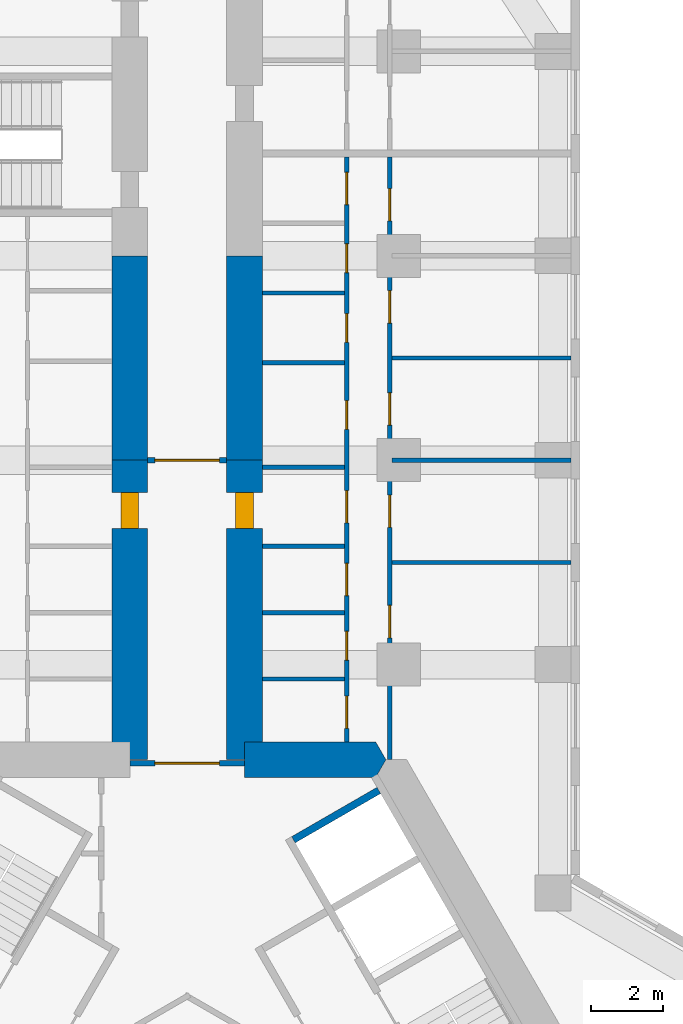
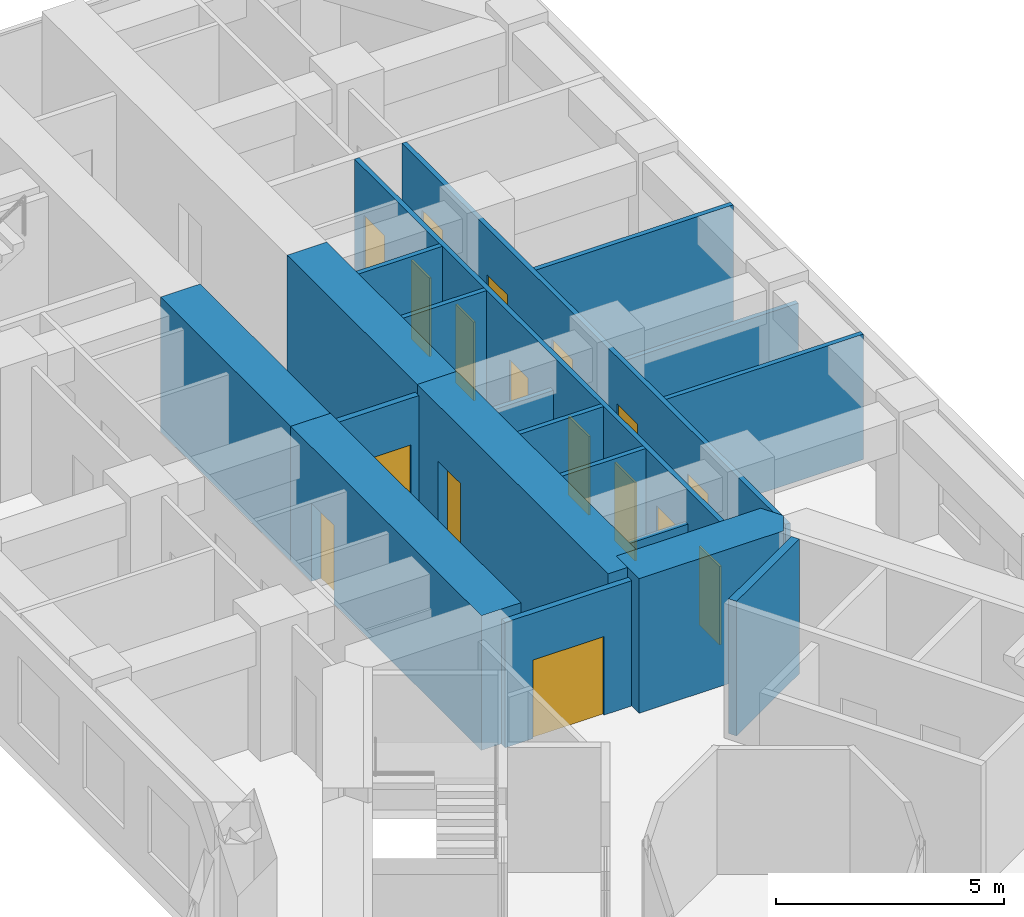
# One storey, part 18 of 21: 19 walls, 17 doors, 17 openings.
"""IFC4 building model written with IfcOpenShell, lengths in metres."""

from ifc_helpers import new_model, si_unit, direction, frame, frame_2d, origin, place, context, subcontext, project, spatial, polyline, rectangle, outline, extrude, material, layer, layer_set, type_object, element, fill, save


model = new_model("IFC4")

# Units and contexts
model_context = context("Model", 3, precision=1e-05, world=origin(), true_north=direction((0.0, 1.0)))
body_context = subcontext(model_context, "Body", "Model", "MODEL_VIEW")
ifc_project = project(units=[si_unit("LENGTHUNIT", "METRE"), si_unit("AREAUNIT", "SQUARE_METRE"), si_unit("VOLUMEUNIT", "CUBIC_METRE"), si_unit("PLANEANGLEUNIT", "RADIAN"), si_unit("MASSUNIT", "GRAM", prefix="KILO")], contexts=[model_context])

# Site, building, storey
site_placement = place(None, origin())
site = spatial("IfcSite", under=ifc_project, at=site_placement, CompositionType="ELEMENT")
building_placement = place(site_placement, origin())
building = spatial("IfcBuilding", under=site, at=building_placement, Name="Kosmar Iwan School Tower", CompositionType="ELEMENT")
storey_placement = place(building_placement, frame((0.0, 0.0, 53.800048828125)))
storey = spatial("IfcBuildingStorey", under=building, at=storey_placement, Name="L12", CompositionType="ELEMENT", Elevation=53.800048828125)

# Wall
ifc_material_1 = material(Name="Concrete C50/60", Category="concrete")
ifc_layer_1 = layer(ifc_material_1, 1.0)
ifc_layer_set_1 = layer_set([ifc_layer_1], Name="Core wall 1000")
wall_type_1 = type_object("IfcWallType", Name="Core wall 1000", PredefinedType="SHEAR", material=ifc_layer_set_1)
wall_1_placement = place(storey_placement, origin())
element("IfcWall", 1, at=wall_1_placement, inside=storey, type_object=wall_type_1, Name="Core wall F090a", PredefinedType="SHEAR", context=body_context, shape_type="SweptSolid", body=[
    extrude(outline(polyline([(1.60009765625, 9.10009765625), (5.25390625, 9.10009765625), (5.54248046875, 9.60009765625), (5.25390625, 10.10009765625), (1.60009765625, 10.10009765625), (1.60009765625, 9.10009765625)])), origin(), (0.0, 0.0, 1.0), 3.599853515625),
])

# Wall, opening, door
ifc_material_2 = material(Name="Concrete C50/60", Category="concrete")
ifc_layer_2 = layer(ifc_material_2, 1.0)
ifc_layer_set_2 = layer_set([ifc_layer_2], Name="Corridor buttress wall 1000")
wall_type_2 = type_object("IfcWallType", Name="Corridor buttress wall 1000", PredefinedType="SHEAR", material=ifc_layer_set_2)
wall_2_placement = place(storey_placement, frame((-1.60009765625, 9.60009765625, 0.0), z_axis=(0.0, 0.0, 1.0), x_axis=(0.0, 1.0, 0.0)))
wall_2 = element("IfcWall", 2, at=wall_2_placement, inside=storey, type_object=wall_type_2, Name="Corridor wall AL", PredefinedType="SHEAR", context=body_context, shape_type="SweptSolid", body=[
    extrude(rectangle(XDim=8.349853515625, YDim=1.0, at=frame_2d((4.1748046875, 0.0))), origin(), (0.0, 0.0, 1.0), 3.599853515625),
])
opening_1_placement = place(wall_2_placement, frame((6.449951171875, 0.0, 0.0)))
opening_1 = element("IfcOpeningElement", 3, at=opening_1_placement, cuts=wall_2, Name="Opening D1", PredefinedType="OPENING", context=body_context, shape_type="SweptSolid", body=[
    extrude(rectangle(XDim=1.0, YDim=2.10009765625, at=frame_2d((0.5, 1.050048828125))), frame((0.0, 0.511962890625, 0.0), z_axis=(0.0, -1.0, 0.0), x_axis=(1.0, 0.0, 0.0)), (0.0, 0.0, 1.0), 1.02392578125),
])
ifc_material_3 = material(Name="Timber fire door in steel frame", Category="steel")
door_type_1 = type_object("IfcDoorType", Name="Flat entrance door 1000x2100", OperationType="SINGLE_SWING_LEFT", PredefinedType="DOOR", material=ifc_material_3)
door_1_placement = place(opening_1_placement, origin())
door_1 = element("IfcDoor", 4, at=door_1_placement, inside=storey, type_object=door_type_1, Name="Flat L12-AL1 entrance door", OperationType="SINGLE_SWING_LEFT", OverallHeight=2.10009765625, OverallWidth=1.0, PredefinedType="DOOR", context=body_context, shape_type="SweptSolid", body=[
    extrude(rectangle(XDim=1.0, YDim=2.10009765625, at=frame_2d((0.5, 1.050048828125))), frame((0.0, 0.25, 0.0), z_axis=(0.0, -1.0, 0.0), x_axis=(1.0, 0.0, 0.0)), (0.0, 0.0, 1.0), 0.5),
])
fill(opening_1, door_1)

# Wall
wall_3_placement = place(storey_placement, frame((-1.60009765625, 17.949951171875, 0.0), z_axis=(0.0, 0.0, 1.0), x_axis=(0.0, 1.0, 0.0)))
element("IfcWall", 5, at=wall_3_placement, inside=storey, type_object=wall_type_2, Name="Corridor wall AL bay 2", PredefinedType="SHEAR", context=body_context, shape_type="SweptSolid", body=[
    extrude(rectangle(XDim=5.699951171875, YDim=1.0, at=frame_2d((2.85009765625, 0.0))), origin(), (0.0, 0.0, 1.0), 3.599853515625),
])

# Wall, opening, door
wall_4_placement = place(storey_placement, frame((1.60009765625, 9.60009765625, 0.0), z_axis=(0.0, 0.0, 1.0), x_axis=(0.0, 1.0, 0.0)))
wall_4 = element("IfcWall", 6, at=wall_4_placement, inside=storey, type_object=wall_type_2, Name="Corridor wall AR", PredefinedType="SHEAR", context=body_context, shape_type="SweptSolid", body=[
    extrude(rectangle(XDim=8.349853515625, YDim=1.0, at=frame_2d((4.1748046875, 0.0))), origin(), (0.0, 0.0, 1.0), 3.599853515625),
])
opening_2_placement = place(wall_4_placement, frame((6.449951171875, 0.0, 0.0)))
opening_2 = element("IfcOpeningElement", 7, at=opening_2_placement, cuts=wall_4, Name="Opening D1", PredefinedType="OPENING", context=body_context, shape_type="SweptSolid", body=[
    extrude(rectangle(XDim=1.0, YDim=2.10009765625, at=frame_2d((0.5, 1.050048828125))), frame((0.0, 0.511962890625, 0.0), z_axis=(0.0, -1.0, 0.0), x_axis=(1.0, 0.0, 0.0)), (0.0, 0.0, 1.0), 1.02392578125),
])
door_2_placement = place(opening_2_placement, origin())
door_2 = element("IfcDoor", 8, at=door_2_placement, inside=storey, type_object=door_type_1, Name="Flat L12-AR1 entrance door", OperationType="SINGLE_SWING_RIGHT", OverallHeight=2.10009765625, OverallWidth=1.0, PredefinedType="DOOR", context=body_context, shape_type="SweptSolid", body=[
    extrude(rectangle(XDim=1.0, YDim=2.10009765625, at=frame_2d((0.5, 1.050048828125))), frame((0.0, 0.25, 0.0), z_axis=(0.0, -1.0, 0.0), x_axis=(1.0, 0.0, 0.0)), (0.0, 0.0, 1.0), 0.5),
])
fill(opening_2, door_2)

# Wall
wall_5_placement = place(storey_placement, frame((1.60009765625, 17.949951171875, 0.0), z_axis=(0.0, 0.0, 1.0), x_axis=(0.0, 1.0, 0.0)))
element("IfcWall", 9, at=wall_5_placement, inside=storey, type_object=wall_type_2, Name="Corridor wall AR bay 2", PredefinedType="SHEAR", context=body_context, shape_type="SweptSolid", body=[
    extrude(rectangle(XDim=5.699951171875, YDim=1.0, at=frame_2d((2.85009765625, 0.0))), origin(), (0.0, 0.0, 1.0), 3.599853515625),
])

# Wall, opening, door
ifc_material_4 = material(Name="Gypsum board on steel studs, fire-rated", Category="steel")
ifc_layer_3 = layer(ifc_material_4, 0.14990234375)
ifc_layer_set_3 = layer_set([ifc_layer_3], Name="Corridor end wall 150")
wall_type_3 = type_object("IfcWallType", Name="Corridor end wall 150", PredefinedType="PARTITIONING", material=ifc_layer_set_3)
wall_6_placement = place(storey_placement, frame((1.10009765625, 17.949951171875, 0.0), z_axis=(0.0, 0.0, 1.0), x_axis=(-1.0, 0.0, 0.0)))
wall_6 = element("IfcWall", 10, at=wall_6_placement, inside=storey, type_object=wall_type_3, Name="Partition L12-A-HW", PredefinedType="PARTITIONING", context=body_context, shape_type="SweptSolid", body=[
    extrude(rectangle(XDim=2.2001953125, YDim=0.14990234375, at=frame_2d((1.10009765625, 0.0))), origin(), (0.0, 0.0, 1.0), 3.349853515625),
])
opening_3_placement = place(wall_6_placement, frame((0.199951171875, 0.0, 0.0)))
opening_3 = element("IfcOpeningElement", 11, at=opening_3_placement, cuts=wall_6, Name="Opening D9", PredefinedType="OPENING", context=body_context, shape_type="SweptSolid", body=[
    extrude(rectangle(XDim=1.800048828125, YDim=2.10009765625, at=frame_2d((0.89990234375, 1.050048828125))), frame((0.0, 0.0869140625, 0.0), z_axis=(0.0, -1.0, 0.0), x_axis=(1.0, 0.0, 0.0)), (0.0, 0.0, 1.0), 0.173828125),
])
ifc_material_5 = material(Name="Steel framed glazed smoke door", Category="steel")
door_type_2 = type_object("IfcDoorType", Name="Corridor smoke door pair 1800x2100", OperationType="DOUBLE_DOOR_DOUBLE_SWING", PredefinedType="DOOR", material=ifc_material_5)
door_3_placement = place(opening_3_placement, origin())
door_3 = element("IfcDoor", 12, at=door_3_placement, inside=storey, type_object=door_type_2, Name="Entrance vestibule smoke doors L12-A", OperationType="DOUBLE_DOOR_DOUBLE_SWING", OverallHeight=2.10009765625, OverallWidth=1.800048828125, PredefinedType="DOOR", context=body_context, shape_type="SweptSolid", body=[
    extrude(rectangle(XDim=1.800048828125, YDim=2.10009765625, at=frame_2d((0.89990234375, 1.050048828125))), frame((0.0, 0.02490234375, 0.0), z_axis=(0.0, -1.0, 0.0), x_axis=(1.0, 0.0, 0.0)), (0.0, 0.0, 1.0), 0.050048828125),
])
fill(opening_3, door_3)

ifc_material_6 = material(Name="Steel framed glazed screen", Category="steel")
ifc_layer_4 = layer(ifc_material_6, 0.14990234375)
ifc_layer_set_4 = layer_set([ifc_layer_4], Name="Corridor screen wall 150")
wall_type_4 = type_object("IfcWallType", Name="Corridor screen wall 150", PredefinedType="PARTITIONING", material=ifc_layer_set_4)
wall_7_placement = place(storey_placement, frame((1.60009765625, 9.5, 0.0), z_axis=(0.0, 0.0, 1.0), x_axis=(-1.0, 0.0, 0.0)))
wall_7 = element("IfcWall", 13, at=wall_7_placement, inside=storey, type_object=wall_type_4, Name="Corridor screen A L12", PredefinedType="PARTITIONING", context=body_context, shape_type="SweptSolid", body=[
    extrude(rectangle(XDim=3.2001953125, YDim=0.14990234375, at=frame_2d((1.60009765625, 0.0))), origin(), (0.0, 0.0, 1.0), 3.349853515625),
])
opening_4_placement = place(wall_7_placement, frame((0.699951171875, 0.0, 0.0)))
opening_4 = element("IfcOpeningElement", 14, at=opening_4_placement, cuts=wall_7, Name="Opening D9", PredefinedType="OPENING", context=body_context, shape_type="SweptSolid", body=[
    extrude(rectangle(XDim=1.800048828125, YDim=2.10009765625, at=frame_2d((0.89990234375, 1.050048828125))), frame((0.0, 0.0869140625, 0.0), z_axis=(0.0, -1.0, 0.0), x_axis=(1.0, 0.0, 0.0)), (0.0, 0.0, 1.0), 0.173828125),
])
door_4_placement = place(opening_4_placement, origin())
door_4 = element("IfcDoor", 15, at=door_4_placement, inside=storey, type_object=door_type_2, Name="Corridor doors A L12", OperationType="DOUBLE_DOOR_DOUBLE_SWING", OverallHeight=2.10009765625, OverallWidth=1.800048828125, PredefinedType="DOOR", context=body_context, shape_type="SweptSolid", body=[
    extrude(rectangle(XDim=1.800048828125, YDim=2.10009765625, at=frame_2d((0.89990234375, 1.050048828125))), frame((0.0, 0.02490234375, 0.0), z_axis=(0.0, -1.0, 0.0), x_axis=(1.0, 0.0, 0.0)), (0.0, 0.0, 1.0), 0.050048828125),
])
fill(opening_4, door_4)

# Wall, openings, doors
ifc_material_7 = material(Name="Gypsum board on steel studs", Category="steel")
ifc_layer_5 = layer(ifc_material_7, 0.1201171875)
ifc_layer_set_5 = layer_set([ifc_layer_5], Name="Dwelling partition 120")
wall_type_5 = type_object("IfcWallType", Name="Dwelling partition 120", PredefinedType="PARTITIONING", material=ifc_layer_set_5)
wall_8_placement = place(storey_placement, frame((4.449951171875, 10.10009765625, 0.0), z_axis=(0.0, 0.0, 1.0), x_axis=(0.0, 1.0, 0.0)))
wall_8 = element("IfcWall", 16, at=wall_8_placement, inside=storey, type_object=wall_type_5, Name="Partition L12-AR1-W1", PredefinedType="PARTITIONING", context=body_context, shape_type="SweptSolid", body=[
    extrude(rectangle(XDim=16.2998046875, YDim=0.1201171875, at=frame_2d((8.14990234375, 0.0))), origin(), (0.0, 0.0, 1.0), 3.349853515625),
])
opening_5_placement = place(wall_8_placement, frame((0.375, 0.0, 0.0)))
opening_5 = element("IfcOpeningElement", 17, at=opening_5_placement, cuts=wall_8, Name="Opening D2", PredefinedType="OPENING", context=body_context, shape_type="SweptSolid", body=[
    extrude(rectangle(XDim=0.89990234375, YDim=2.10009765625, at=frame_2d((0.449951171875, 1.050048828125))), frame((0.0, 0.072021484375, 0.0), z_axis=(0.0, -1.0, 0.0), x_axis=(1.0, 0.0, 0.0)), (0.0, 0.0, 1.0), 0.14404296875),
])
opening_6_placement = place(wall_8_placement, frame((2.27490234375, 0.0, 0.0)))
opening_6 = element("IfcOpeningElement", 18, at=opening_6_placement, cuts=wall_8, Name="Opening D3", PredefinedType="OPENING", context=body_context, shape_type="SweptSolid", body=[
    extrude(rectangle(XDim=0.800048828125, YDim=2.10009765625, at=frame_2d((0.39990234375, 1.050048828125))), frame((0.0, 0.072021484375, 0.0), z_axis=(0.0, -1.0, 0.0), x_axis=(1.0, 0.0, 0.0)), (0.0, 0.0, 1.0), 0.14404296875),
])
opening_7_placement = place(wall_8_placement, frame((4.074951171875, 0.0, 0.0)))
opening_7 = element("IfcOpeningElement", 19, at=opening_7_placement, cuts=wall_8, Name="Opening D2", PredefinedType="OPENING", context=body_context, shape_type="SweptSolid", body=[
    extrude(rectangle(XDim=0.89990234375, YDim=2.10009765625, at=frame_2d((0.449951171875, 1.050048828125))), frame((0.0, 0.072021484375, 0.0), z_axis=(0.0, -1.0, 0.0), x_axis=(1.0, 0.0, 0.0)), (0.0, 0.0, 1.0), 0.14404296875),
])
opening_8_placement = place(wall_8_placement, frame((6.10009765625, 0.0, 0.0)))
opening_8 = element("IfcOpeningElement", 20, at=opening_8_placement, cuts=wall_8, Name="Opening D2", PredefinedType="OPENING", context=body_context, shape_type="SweptSolid", body=[
    extrude(rectangle(XDim=0.89990234375, YDim=2.10009765625, at=frame_2d((0.449951171875, 1.050048828125))), frame((0.0, 0.072021484375, 0.0), z_axis=(0.0, -1.0, 0.0), x_axis=(1.0, 0.0, 0.0)), (0.0, 0.0, 1.0), 0.14404296875),
])
opening_9_placement = place(wall_8_placement, frame((8.708251953125, 0.0, 0.0)))
opening_9 = element("IfcOpeningElement", 21, at=opening_9_placement, cuts=wall_8, Name="Opening D3", PredefinedType="OPENING", context=body_context, shape_type="SweptSolid", body=[
    extrude(rectangle(XDim=0.800048828125, YDim=2.10009765625, at=frame_2d((0.39990234375, 1.050048828125))), frame((0.0, 0.072021484375, 0.0), z_axis=(0.0, -1.0, 0.0), x_axis=(1.0, 0.0, 0.0)), (0.0, 0.0, 1.0), 0.14404296875),
])
opening_10_placement = place(wall_8_placement, frame((11.138916015625, 0.0, 0.0)))
opening_10 = element("IfcOpeningElement", 22, at=opening_10_placement, cuts=wall_8, Name="Opening D3", PredefinedType="OPENING", context=body_context, shape_type="SweptSolid", body=[
    extrude(rectangle(XDim=0.800048828125, YDim=2.10009765625, at=frame_2d((0.39990234375, 1.050048828125))), frame((0.0, 0.072021484375, 0.0), z_axis=(0.0, -1.0, 0.0), x_axis=(1.0, 0.0, 0.0)), (0.0, 0.0, 1.0), 0.14404296875),
])
opening_11_placement = place(wall_8_placement, frame((13.083251953125, 0.0, 0.0)))
opening_11 = element("IfcOpeningElement", 23, at=opening_11_placement, cuts=wall_8, Name="Opening D3", PredefinedType="OPENING", context=body_context, shape_type="SweptSolid", body=[
    extrude(rectangle(XDim=0.800048828125, YDim=2.10009765625, at=frame_2d((0.39990234375, 1.050048828125))), frame((0.0, 0.072021484375, 0.0), z_axis=(0.0, -1.0, 0.0), x_axis=(1.0, 0.0, 0.0)), (0.0, 0.0, 1.0), 0.14404296875),
])
opening_12_placement = place(wall_8_placement, frame((14.977783203125, 0.0, 0.0)))
opening_12 = element("IfcOpeningElement", 24, at=opening_12_placement, cuts=wall_8, Name="Opening D2", PredefinedType="OPENING", context=body_context, shape_type="SweptSolid", body=[
    extrude(rectangle(XDim=0.89990234375, YDim=2.10009765625, at=frame_2d((0.449951171875, 1.050048828125))), frame((0.0, 0.072021484375, 0.0), z_axis=(0.0, -1.0, 0.0), x_axis=(1.0, 0.0, 0.0)), (0.0, 0.0, 1.0), 0.14404296875),
])
ifc_material_8 = material(Name="Timber door in timber frame", Category="wood")
door_type_3 = type_object("IfcDoorType", Name="Internal door 900x2100", OperationType="SINGLE_SWING_LEFT", PredefinedType="DOOR", material=ifc_material_8)
door_5_placement = place(opening_5_placement, origin())
door_5 = element("IfcDoor", 25, at=door_5_placement, inside=storey, type_object=door_type_3, Name="Dressing room door L12-AR1-S1", OperationType="SINGLE_SWING_RIGHT", OverallHeight=2.10009765625, OverallWidth=0.89990234375, PredefinedType="DOOR", context=body_context, shape_type="SweptSolid", body=[
    extrude(rectangle(XDim=0.89990234375, YDim=2.10009765625, at=frame_2d((0.449951171875, 1.050048828125))), frame((0.0, 0.02490234375, 0.0), z_axis=(0.0, -1.0, 0.0), x_axis=(1.0, 0.0, 0.0)), (0.0, 0.0, 1.0), 0.050048828125),
])
fill(opening_5, door_5)
door_6_placement = place(opening_7_placement, origin())
door_6 = element("IfcDoor", 26, at=door_6_placement, inside=storey, type_object=door_type_3, Name="Pantry door L12-AR1-S3", OperationType="SINGLE_SWING_RIGHT", OverallHeight=2.10009765625, OverallWidth=0.89990234375, PredefinedType="DOOR", context=body_context, shape_type="SweptSolid", body=[
    extrude(rectangle(XDim=0.89990234375, YDim=2.10009765625, at=frame_2d((0.449951171875, 1.050048828125))), frame((0.0, 0.02490234375, 0.0), z_axis=(0.0, -1.0, 0.0), x_axis=(1.0, 0.0, 0.0)), (0.0, 0.0, 1.0), 0.050048828125),
])
fill(opening_7, door_6)
door_7_placement = place(opening_8_placement, origin())
door_7 = element("IfcDoor", 27, at=door_7_placement, inside=storey, type_object=door_type_3, Name="Entrance hall door L12-AR1-S4", OperationType="SINGLE_SWING_LEFT", OverallHeight=2.10009765625, OverallWidth=0.89990234375, PredefinedType="DOOR", context=body_context, shape_type="SweptSolid", body=[
    extrude(rectangle(XDim=0.89990234375, YDim=2.10009765625, at=frame_2d((0.449951171875, 1.050048828125))), frame((0.0, 0.02490234375, 0.0), z_axis=(0.0, -1.0, 0.0), x_axis=(1.0, 0.0, 0.0)), (0.0, 0.0, 1.0), 0.050048828125),
])
fill(opening_8, door_7)
door_8_placement = place(opening_12_placement, origin())
door_8 = element("IfcDoor", 28, at=door_8_placement, inside=storey, type_object=door_type_3, Name="Utility room door L12-AR1-S8", OperationType="SINGLE_SWING_RIGHT", OverallHeight=2.10009765625, OverallWidth=0.89990234375, PredefinedType="DOOR", context=body_context, shape_type="SweptSolid", body=[
    extrude(rectangle(XDim=0.89990234375, YDim=2.10009765625, at=frame_2d((0.449951171875, 1.050048828125))), frame((0.0, 0.02490234375, 0.0), z_axis=(0.0, -1.0, 0.0), x_axis=(1.0, 0.0, 0.0)), (0.0, 0.0, 1.0), 0.050048828125),
])
fill(opening_12, door_8)
ifc_material_9 = material(Name="Timber door in timber frame", Category="wood")
door_type_4 = type_object("IfcDoorType", Name="Sanitary room door 800x2100", OperationType="SINGLE_SWING_LEFT", PredefinedType="DOOR", material=ifc_material_9)
door_9_placement = place(opening_6_placement, origin())
door_9 = element("IfcDoor", 29, at=door_9_placement, inside=storey, type_object=door_type_4, Name="Store door L12-AR1-S2", OperationType="SINGLE_SWING_LEFT", OverallHeight=2.10009765625, OverallWidth=0.800048828125, PredefinedType="DOOR", context=body_context, shape_type="SweptSolid", body=[
    extrude(rectangle(XDim=0.800048828125, YDim=2.10009765625, at=frame_2d((0.39990234375, 1.050048828125))), frame((0.0, 0.02490234375, 0.0), z_axis=(0.0, -1.0, 0.0), x_axis=(1.0, 0.0, 0.0)), (0.0, 0.0, 1.0), 0.050048828125),
])
fill(opening_6, door_9)
door_10_placement = place(opening_9_placement, origin())
door_10 = element("IfcDoor", 30, at=door_10_placement, inside=storey, type_object=door_type_4, Name="Bathroom door L12-AR1-S5", OperationType="SINGLE_SWING_RIGHT", OverallHeight=2.10009765625, OverallWidth=0.800048828125, PredefinedType="DOOR", context=body_context, shape_type="SweptSolid", body=[
    extrude(rectangle(XDim=0.800048828125, YDim=2.10009765625, at=frame_2d((0.39990234375, 1.050048828125))), frame((0.0, 0.02490234375, 0.0), z_axis=(0.0, -1.0, 0.0), x_axis=(1.0, 0.0, 0.0)), (0.0, 0.0, 1.0), 0.050048828125),
])
fill(opening_9, door_10)
door_11_placement = place(opening_10_placement, origin())
door_11 = element("IfcDoor", 31, at=door_11_placement, inside=storey, type_object=door_type_4, Name="Shower room door L12-AR1-S6", OperationType="SINGLE_SWING_LEFT", OverallHeight=2.10009765625, OverallWidth=0.800048828125, PredefinedType="DOOR", context=body_context, shape_type="SweptSolid", body=[
    extrude(rectangle(XDim=0.800048828125, YDim=2.10009765625, at=frame_2d((0.39990234375, 1.050048828125))), frame((0.0, 0.02490234375, 0.0), z_axis=(0.0, -1.0, 0.0), x_axis=(1.0, 0.0, 0.0)), (0.0, 0.0, 1.0), 0.050048828125),
])
fill(opening_10, door_11)
door_12_placement = place(opening_11_placement, origin())
door_12 = element("IfcDoor", 32, at=door_12_placement, inside=storey, type_object=door_type_4, Name="WC door L12-AR1-S7", OperationType="SINGLE_SWING_RIGHT", OverallHeight=2.10009765625, OverallWidth=0.800048828125, PredefinedType="DOOR", context=body_context, shape_type="SweptSolid", body=[
    extrude(rectangle(XDim=0.800048828125, YDim=2.10009765625, at=frame_2d((0.39990234375, 1.050048828125))), frame((0.0, 0.02490234375, 0.0), z_axis=(0.0, -1.0, 0.0), x_axis=(1.0, 0.0, 0.0)), (0.0, 0.0, 1.0), 0.050048828125),
])
fill(opening_11, door_12)

wall_9_placement = place(storey_placement, frame((5.64990234375, 9.60009765625, 0.0), z_axis=(0.0, 0.0, 1.0), x_axis=(0.0, 1.0, 0.0)))
wall_9 = element("IfcWall", 33, at=wall_9_placement, inside=storey, type_object=wall_type_5, Name="Partition L12-AR1-W2", PredefinedType="PARTITIONING", context=body_context, shape_type="SweptSolid", body=[
    extrude(rectangle(XDim=16.7998046875, YDim=0.1201171875, at=frame_2d((8.39990234375, 0.0))), origin(), (0.0, 0.0, 1.0), 3.349853515625),
])
opening_13_placement = place(wall_9_placement, frame((3.39990234375, 0.0, 0.0)))
opening_13 = element("IfcOpeningElement", 34, at=opening_13_placement, cuts=wall_9, Name="Opening D2", PredefinedType="OPENING", context=body_context, shape_type="SweptSolid", body=[
    extrude(rectangle(XDim=0.89990234375, YDim=2.10009765625, at=frame_2d((0.449951171875, 1.050048828125))), frame((0.0, 0.072021484375, 0.0), z_axis=(0.0, -1.0, 0.0), x_axis=(1.0, 0.0, 0.0)), (0.0, 0.0, 1.0), 0.14404296875),
])
opening_14_placement = place(wall_9_placement, frame((6.47509765625, 0.0, 0.0)))
opening_14 = element("IfcOpeningElement", 35, at=opening_14_placement, cuts=wall_9, Name="Opening D2", PredefinedType="OPENING", context=body_context, shape_type="SweptSolid", body=[
    extrude(rectangle(XDim=0.89990234375, YDim=2.10009765625, at=frame_2d((0.449951171875, 1.050048828125))), frame((0.0, 0.072021484375, 0.0), z_axis=(0.0, -1.0, 0.0), x_axis=(1.0, 0.0, 0.0)), (0.0, 0.0, 1.0), 0.14404296875),
])
opening_15_placement = place(wall_9_placement, frame((9.324951171875, 0.0, 0.0)))
opening_15 = element("IfcOpeningElement", 36, at=opening_15_placement, cuts=wall_9, Name="Opening D2", PredefinedType="OPENING", context=body_context, shape_type="SweptSolid", body=[
    extrude(rectangle(XDim=0.89990234375, YDim=2.10009765625, at=frame_2d((0.449951171875, 1.050048828125))), frame((0.0, 0.072021484375, 0.0), z_axis=(0.0, -1.0, 0.0), x_axis=(1.0, 0.0, 0.0)), (0.0, 0.0, 1.0), 0.14404296875),
])
opening_16_placement = place(wall_9_placement, frame((12.175048828125, 0.0, 0.0)))
opening_16 = element("IfcOpeningElement", 37, at=opening_16_placement, cuts=wall_9, Name="Opening D2", PredefinedType="OPENING", context=body_context, shape_type="SweptSolid", body=[
    extrude(rectangle(XDim=0.89990234375, YDim=2.10009765625, at=frame_2d((0.449951171875, 1.050048828125))), frame((0.0, 0.072021484375, 0.0), z_axis=(0.0, -1.0, 0.0), x_axis=(1.0, 0.0, 0.0)), (0.0, 0.0, 1.0), 0.14404296875),
])
opening_17_placement = place(wall_9_placement, frame((15.02490234375, 0.0, 0.0)))
opening_17 = element("IfcOpeningElement", 38, at=opening_17_placement, cuts=wall_9, Name="Opening D2", PredefinedType="OPENING", context=body_context, shape_type="SweptSolid", body=[
    extrude(rectangle(XDim=0.89990234375, YDim=2.10009765625, at=frame_2d((0.449951171875, 1.050048828125))), frame((0.0, 0.072021484375, 0.0), z_axis=(0.0, -1.0, 0.0), x_axis=(1.0, 0.0, 0.0)), (0.0, 0.0, 1.0), 0.14404296875),
])
door_13_placement = place(opening_13_placement, origin())
door_13 = element("IfcDoor", 39, at=door_13_placement, inside=storey, type_object=door_type_3, Name="Living room and kitchen door L12-AR1-F1", OperationType="SINGLE_SWING_LEFT", OverallHeight=2.10009765625, OverallWidth=0.89990234375, PredefinedType="DOOR", context=body_context, shape_type="SweptSolid", body=[
    extrude(rectangle(XDim=0.89990234375, YDim=2.10009765625, at=frame_2d((0.449951171875, 1.050048828125))), frame((0.0, 0.02490234375, 0.0), z_axis=(0.0, -1.0, 0.0), x_axis=(1.0, 0.0, 0.0)), (0.0, 0.0, 1.0), 0.050048828125),
])
fill(opening_13, door_13)
door_14_placement = place(opening_14_placement, origin())
door_14 = element("IfcDoor", 40, at=door_14_placement, inside=storey, type_object=door_type_3, Name="Bedroom 1 door L12-AR1-F2", OperationType="SINGLE_SWING_LEFT", OverallHeight=2.10009765625, OverallWidth=0.89990234375, PredefinedType="DOOR", context=body_context, shape_type="SweptSolid", body=[
    extrude(rectangle(XDim=0.89990234375, YDim=2.10009765625, at=frame_2d((0.449951171875, 1.050048828125))), frame((0.0, 0.02490234375, 0.0), z_axis=(0.0, -1.0, 0.0), x_axis=(1.0, 0.0, 0.0)), (0.0, 0.0, 1.0), 0.050048828125),
])
fill(opening_14, door_14)
door_15_placement = place(opening_15_placement, origin())
door_15 = element("IfcDoor", 41, at=door_15_placement, inside=storey, type_object=door_type_3, Name="Bedroom 2 door L12-AR1-F3", OperationType="SINGLE_SWING_RIGHT", OverallHeight=2.10009765625, OverallWidth=0.89990234375, PredefinedType="DOOR", context=body_context, shape_type="SweptSolid", body=[
    extrude(rectangle(XDim=0.89990234375, YDim=2.10009765625, at=frame_2d((0.449951171875, 1.050048828125))), frame((0.0, 0.02490234375, 0.0), z_axis=(0.0, -1.0, 0.0), x_axis=(1.0, 0.0, 0.0)), (0.0, 0.0, 1.0), 0.050048828125),
])
fill(opening_15, door_15)
door_16_placement = place(opening_16_placement, origin())
door_16 = element("IfcDoor", 42, at=door_16_placement, inside=storey, type_object=door_type_3, Name="Bedroom 3 door L12-AR1-F4", OperationType="SINGLE_SWING_RIGHT", OverallHeight=2.10009765625, OverallWidth=0.89990234375, PredefinedType="DOOR", context=body_context, shape_type="SweptSolid", body=[
    extrude(rectangle(XDim=0.89990234375, YDim=2.10009765625, at=frame_2d((0.449951171875, 1.050048828125))), frame((0.0, 0.02490234375, 0.0), z_axis=(0.0, -1.0, 0.0), x_axis=(1.0, 0.0, 0.0)), (0.0, 0.0, 1.0), 0.050048828125),
])
fill(opening_16, door_16)
door_17_placement = place(opening_17_placement, origin())
door_17 = element("IfcDoor", 43, at=door_17_placement, inside=storey, type_object=door_type_3, Name="Bedroom 4 door L12-AR1-F5", OperationType="SINGLE_SWING_RIGHT", OverallHeight=2.10009765625, OverallWidth=0.89990234375, PredefinedType="DOOR", context=body_context, shape_type="SweptSolid", body=[
    extrude(rectangle(XDim=0.89990234375, YDim=2.10009765625, at=frame_2d((0.449951171875, 1.050048828125))), frame((0.0, 0.02490234375, 0.0), z_axis=(0.0, -1.0, 0.0), x_axis=(1.0, 0.0, 0.0)), (0.0, 0.0, 1.0), 0.050048828125),
])
fill(opening_17, door_17)

# Walls
wall_10_placement = place(storey_placement, frame((5.7099609375, 15.10009765625, 0.0), z_axis=(0.0, 0.0, 1.0), x_axis=(1.0, 0.0, 0.0)))
element("IfcWall", 44, at=wall_10_placement, inside=storey, type_object=wall_type_5, Name="Partition L12-AR1-X1", PredefinedType="PARTITIONING", context=body_context, shape_type="SweptSolid", body=[
    extrude(rectangle(XDim=4.989990234375, YDim=0.1201171875, at=frame_2d((2.4951171875, 0.0))), origin(), (0.0, 0.0, 1.0), 3.349853515625),
])
wall_11_placement = place(storey_placement, frame((5.7099609375, 17.949951171875, 0.0), z_axis=(0.0, 0.0, 1.0), x_axis=(1.0, 0.0, 0.0)))
element("IfcWall", 45, at=wall_11_placement, inside=storey, type_object=wall_type_5, Name="Partition L12-AR1-X2", PredefinedType="PARTITIONING", context=body_context, shape_type="SweptSolid", body=[
    extrude(rectangle(XDim=4.989990234375, YDim=0.1201171875, at=frame_2d((2.4951171875, 0.0))), origin(), (0.0, 0.0, 1.0), 2.449951171875),
])
wall_12_placement = place(storey_placement, frame((5.7099609375, 20.800048828125, 0.0), z_axis=(0.0, 0.0, 1.0), x_axis=(1.0, 0.0, 0.0)))
element("IfcWall", 46, at=wall_12_placement, inside=storey, type_object=wall_type_5, Name="Partition L12-AR1-X3", PredefinedType="PARTITIONING", context=body_context, shape_type="SweptSolid", body=[
    extrude(rectangle(XDim=4.989990234375, YDim=0.1201171875, at=frame_2d((2.4951171875, 0.0))), origin(), (0.0, 0.0, 1.0), 3.349853515625),
])
wall_13_placement = place(storey_placement, frame((2.10009765625, 11.85009765625, 0.0), z_axis=(0.0, 0.0, 1.0), x_axis=(1.0, 0.0, 0.0)))
element("IfcWall", 47, at=wall_13_placement, inside=storey, type_object=wall_type_5, Name="Partition L12-AR1-Y1", PredefinedType="PARTITIONING", context=body_context, shape_type="SweptSolid", body=[
    extrude(rectangle(XDim=2.289794921875, YDim=0.1201171875, at=frame_2d((1.14501953125, 0.0))), origin(), (0.0, 0.0, 1.0), 2.449951171875),
])
for number, where, z_axis, x_axis, name in (
    (48, (2.10009765625, 13.699951171875, 0.0), (0.0, 0.0, 1.0), (1.0, 0.0, 0.0), "Partition L12-AR1-Y2"),
    (49, (2.10009765625, 15.550048828125, 0.0), (0.0, 0.0, 1.0), (1.0, 0.0, 0.0), "Partition L12-AR1-Y3"),
):
    element("IfcWall", number, at=place(storey_placement, frame(where, z_axis=z_axis, x_axis=x_axis)), inside=storey, type_object=wall_type_5, Name=name, PredefinedType="PARTITIONING", context=body_context, shape_type="SweptSolid", body=[
        extrude(rectangle(XDim=2.289794921875, YDim=0.1201171875, at=frame_2d((1.14501953125, 0.0))), origin(), (0.0, 0.0, 1.0), 3.349853515625),
    ])
wall_14_placement = place(storey_placement, frame((2.10009765625, 17.75, 0.0), z_axis=(0.0, 0.0, 1.0), x_axis=(1.0, 0.0, 0.0)))
element("IfcWall", 50, at=wall_14_placement, inside=storey, type_object=wall_type_5, Name="Partition L12-AR1-Y4", PredefinedType="PARTITIONING", context=body_context, shape_type="SweptSolid", body=[
    extrude(rectangle(XDim=2.289794921875, YDim=0.1201171875, at=frame_2d((1.14501953125, 0.0))), origin(), (0.0, 0.0, 1.0), 2.449951171875),
])
for number, where, z_axis, x_axis, name in (
    (51, (2.10009765625, 20.666748046875, 0.0), (0.0, 0.0, 1.0), (1.0, 0.0, 0.0), "Partition L12-AR1-Y5"),
    (52, (2.10009765625, 22.611083984375, 0.0), (0.0, 0.0, 1.0), (1.0, 0.0, 0.0), "Partition L12-AR1-Y6"),
):
    element("IfcWall", number, at=place(storey_placement, frame(where, z_axis=z_axis, x_axis=x_axis)), inside=storey, type_object=wall_type_5, Name=name, PredefinedType="PARTITIONING", context=body_context, shape_type="SweptSolid", body=[
        extrude(rectangle(XDim=2.289794921875, YDim=0.1201171875, at=frame_2d((1.14501953125, 0.0))), origin(), (0.0, 0.0, 1.0), 3.349853515625),
    ])
ifc_material_10 = material(Name="Concrete C50/60", Category="concrete")
ifc_layer_6 = layer(ifc_material_10, 0.199951171875)
ifc_layer_set_6 = layer_set([ifc_layer_6], Name="Lift shaft wall 200")
wall_type_6 = type_object("IfcWallType", Name="Lift shaft wall 200", PredefinedType="SHEAR", material=ifc_layer_set_6)
wall_15_placement = place(storey_placement, frame((2.962646484375, 7.368408203125, 0.0), z_axis=(0.0, 0.0, 1.0), x_axis=(0.866027397988, 0.499996545922, 0.0)))
element("IfcWall", 53, at=wall_15_placement, inside=storey, type_object=wall_type_6, Name="Lift shaft wall AC 2", PredefinedType="SHEAR", context=body_context, shape_type="SweptSolid", body=[
    extrude(rectangle(XDim=2.75, YDim=0.199951171875, at=frame_2d((1.375, 0.0))), origin(), (0.0, 0.0, 1.0), 3.599853515625),
])

save(model, "model.ifc")
